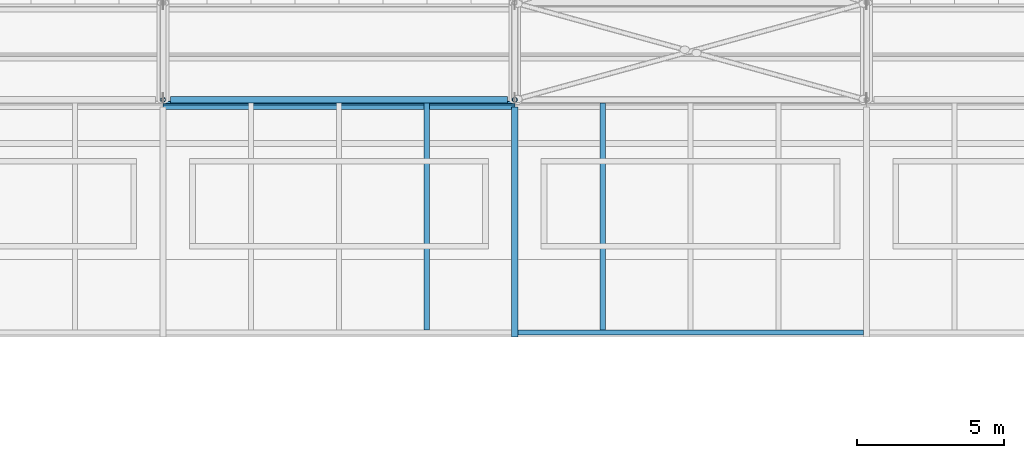
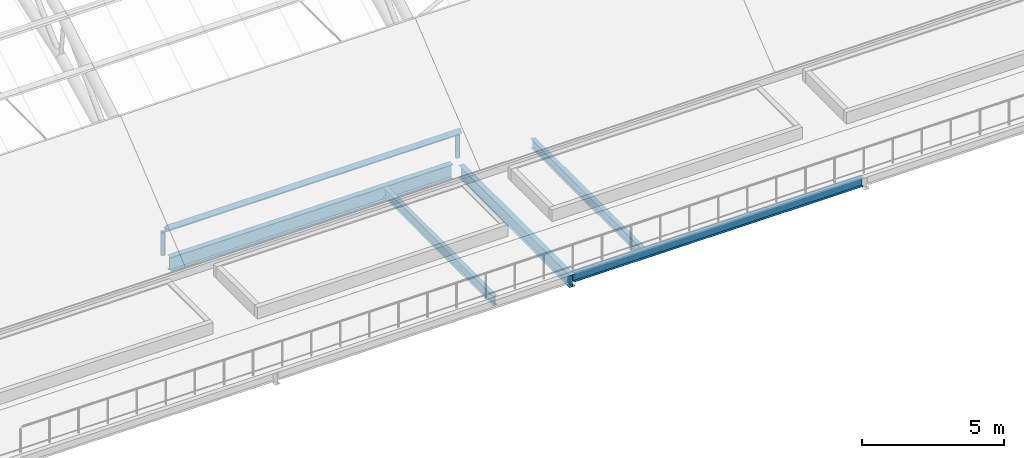
# One storey, part 4 of 110: 5 beams, 3 members.
"""IFC4 building model written with IfcOpenShell, lengths in metres."""

from ifc_helpers import new_model, si_unit, direction, frame, origin, origin_2d, place, context, subcontext, project, spatial, hollow_circle, i_section, extrude, material, material_profile, profile_set, type_object, element, save


model = new_model("IFC4")

# Units and contexts
model_context = context("Model", 3, precision=1e-05, world=origin(), true_north=direction((0.0, 1.0)))
body_context = subcontext(model_context, "Body", "Model", "MODEL_VIEW")
ifc_project = project(units=[si_unit("LENGTHUNIT", "METRE"), si_unit("AREAUNIT", "SQUARE_METRE"), si_unit("VOLUMEUNIT", "CUBIC_METRE"), si_unit("PLANEANGLEUNIT", "RADIAN"), si_unit("MASSUNIT", "GRAM", prefix="KILO")], contexts=[model_context])

# Site, building, storey
site_placement = place(None, origin())
site = spatial("IfcSite", under=ifc_project, at=site_placement, CompositionType="ELEMENT")
building_placement = place(site_placement, origin())
building = spatial("IfcBuilding", under=site, at=building_placement, Name="Windward Yard Aquatics Centre", CompositionType="ELEMENT")
storey_placement = place(building_placement, frame((0.0, 0.0, 22.60009765625)))
storey = spatial("IfcBuildingStorey", under=building, at=storey_placement, Name="L05", CompositionType="ELEMENT", Elevation=22.60009765625)

# Members
ifc_material_1 = material(Name="Steel ASTM A500 Gr C", Category="steel")
ifc_material_profile_1 = material_profile(ifc_material_1, hollow_circle(Radius=0.084228515625, WallThickness=0.010986328125, at=origin_2d()), Name="HSS168.3X11")
ifc_profile_set_1 = profile_set([ifc_material_profile_1], Name="Steel ASTM A500 Gr C")
member_type_1 = type_object("IfcMemberType", Name="H arch post HSS168.3X11", PredefinedType="POST", material=ifc_profile_set_1)
for number, where, z_axis, x_axis, name in (
    (1, (84.0, 41.60009765625, 0.0), (0.0, 0.0, 1.0), (1.0, 0.0, 0.0), "H.AT.3.WP01"),
    (2, (96.0, 41.60009765625, 0.0), (0.0, 0.0, 1.0), (1.0, 0.0, 0.0), "H.AT.4.WP01"),
):
    element("IfcMember", number, at=place(storey_placement, frame(where, z_axis=z_axis, x_axis=x_axis)), inside=storey, type_object=member_type_1, Name=name, PredefinedType="POST", context=body_context, shape_type="SweptSolid", body=[
        extrude(hollow_circle(Radius=0.084228515625, WallThickness=0.010986328125, at=origin_2d()), origin(), (0.0, 0.0, 1.0), 1.0),
    ])

# Beam
ifc_material_2 = material(Name="Steel ASTM A992 Gr 50", Category="steel")
ifc_material_profile_2 = material_profile(ifc_material_2, i_section(OverallWidth=0.22802734375, OverallDepth=0.60205078125, WebThickness=0.010498046875, FlangeThickness=0.014892578125, at=origin_2d()), Name="W610X101")
ifc_profile_set_2 = profile_set([ifc_material_profile_2], Name="Steel ASTM A992 Gr 50")
beam_type_1 = type_object("IfcBeamType", Name="H eave girder W610X101", PredefinedType="BEAM", material=ifc_profile_set_2)
beam_1_placement = place(storey_placement, frame((84.25390625, 41.60009765625, -0.451171875), z_axis=(1.0, 0.0, 0.0), x_axis=(0.0, 1.0, 0.0)))
element("IfcBeam", 3, at=beam_1_placement, inside=storey, type_object=beam_type_1, Name="H.EG.S3", PredefinedType="BEAM", context=body_context, shape_type="SweptSolid", body=[
    extrude(i_section(OverallWidth=0.22802734375, OverallDepth=0.60205078125, WebThickness=0.010498046875, FlangeThickness=0.014892578125, at=origin_2d()), origin(), (0.0, 0.0, 1.0), 11.4921875),
])

# Member
ifc_material_profile_3 = material_profile(ifc_material_2, i_section(OverallWidth=0.202880859375, OverallDepth=0.202880859375, WebThickness=0.00732421875, FlangeThickness=0.010986328125, at=origin_2d()), Name="W200X46.1")
ifc_profile_set_3 = profile_set([ifc_material_profile_3], Name="Steel ASTM A992 Gr 50")
member_type_2 = type_object("IfcMemberType", Name="H roof purlin W200X46.1", PredefinedType="PURLIN", material=ifc_profile_set_3)
member_placement = place(storey_placement, frame((84.0, 41.406494140625, 1.2353515625), z_axis=(1.0, 0.0, 0.0), x_axis=(0.0, 0.772610863417, 0.634879873464)))
element("IfcMember", 4, at=member_placement, inside=storey, type_object=member_type_2, Name="H.PU.3.01", PredefinedType="PURLIN", context=body_context, shape_type="SweptSolid", body=[
    extrude(i_section(OverallWidth=0.202880859375, OverallDepth=0.202880859375, WebThickness=0.00732421875, FlangeThickness=0.010986328125, at=origin_2d()), origin(), (0.0, 0.0, 1.0), 12.0),
])

# Beams
ifc_material_profile_4 = material_profile(ifc_material_2, i_section(OverallWidth=0.208984375, OverallDepth=0.528076171875, WebThickness=0.009521484375, FlangeThickness=0.01318359375, at=origin_2d()), Name="W530X82")
ifc_profile_set_4 = profile_set([ifc_material_profile_4], Name="Steel ASTM A992 Gr 50")
beam_type_2 = type_object("IfcBeamType", Name="H terrace primary beam W530X82", PredefinedType="BEAM", material=ifc_profile_set_4)
beam_2_placement = place(storey_placement, frame((96.0, 33.5, -0.4140625), z_axis=(0.0, 1.0, 0.0), x_axis=(-1.0, 0.0, 0.0)))
element("IfcBeam", 5, at=beam_2_placement, inside=storey, type_object=beam_type_2, Name="H.T2B.S4", PredefinedType="BEAM", context=body_context, shape_type="SweptSolid", body=[
    extrude(i_section(OverallWidth=0.208984375, OverallDepth=0.528076171875, WebThickness=0.009521484375, FlangeThickness=0.01318359375, at=origin_2d()), origin(), (0.0, 0.0, 1.0), 7.845947265625),
])
ifc_material_profile_5 = material_profile(ifc_material_2, i_section(OverallWidth=0.177978515625, OverallDepth=0.406005859375, WebThickness=0.0078125, FlangeThickness=0.0126953125, at=origin_2d()), Name="W410X60")
ifc_profile_set_5 = profile_set([ifc_material_profile_5], Name="Steel ASTM A992 Gr 50")
beam_type_3 = type_object("IfcBeamType", Name="H terrace secondary beam W410X60", PredefinedType="BEAM", material=ifc_profile_set_5)
beam_3_placement = place(storey_placement, frame((93.0, 33.74658203125, -0.35302734375), z_axis=(0.0, 1.0, 0.0), x_axis=(-1.0, 0.0, 0.0)))
element("IfcBeam", 6, at=beam_3_placement, inside=storey, type_object=beam_type_3, Name="H.T2S.S3.3", PredefinedType="BEAM", context=body_context, shape_type="SweptSolid", body=[
    extrude(i_section(OverallWidth=0.177978515625, OverallDepth=0.406005859375, WebThickness=0.0078125, FlangeThickness=0.0126953125, at=origin_2d()), origin(), (0.0, 0.0, 1.0), 7.739501953125),
])
beam_4_placement = place(storey_placement, frame((96.1044921875, 33.65771484375, -0.35302734375), z_axis=(1.0, 0.0, 0.0), x_axis=(0.0, 1.0, 0.0)))
element("IfcBeam", 7, at=beam_4_placement, inside=storey, type_object=beam_type_3, Name="H.T2E.S4", PredefinedType="BEAM", context=body_context, shape_type="SweptSolid", body=[
    extrude(i_section(OverallWidth=0.177978515625, OverallDepth=0.406005859375, WebThickness=0.0078125, FlangeThickness=0.0126953125, at=origin_2d()), origin(), (0.0, 0.0, 1.0), 11.791015625),
])
beam_5_placement = place(storey_placement, frame((99.0, 33.74658203125, -0.35302734375), z_axis=(0.0, 1.0, 0.0), x_axis=(-1.0, 0.0, 0.0)))
element("IfcBeam", 8, at=beam_5_placement, inside=storey, type_object=beam_type_3, Name="H.T2S.S4.1", PredefinedType="BEAM", context=body_context, shape_type="SweptSolid", body=[
    extrude(i_section(OverallWidth=0.177978515625, OverallDepth=0.406005859375, WebThickness=0.0078125, FlangeThickness=0.0126953125, at=origin_2d()), origin(), (0.0, 0.0, 1.0), 7.739501953125),
])

save(model, "model.ifc")
